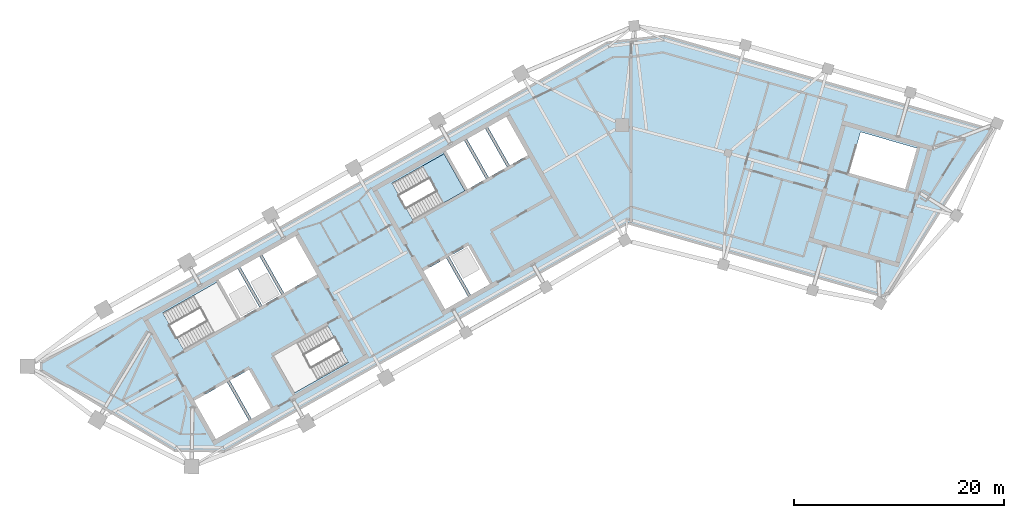
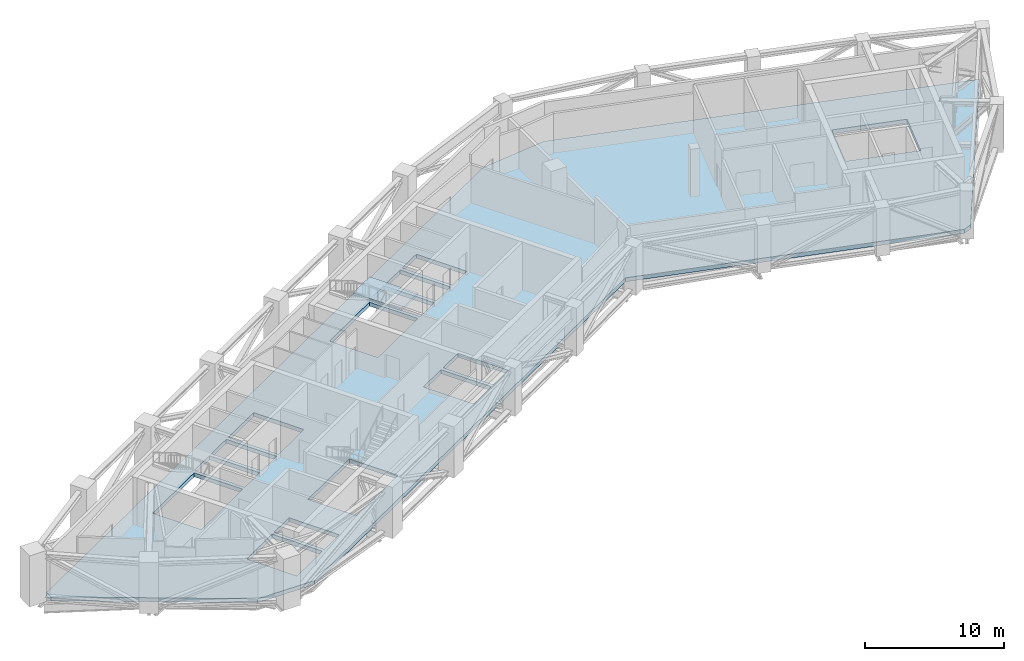
# One storey, part 6 of 13: 2 slabs, 1 element without a shape of its own.
"""IFC4 building model written with IfcOpenShell, lengths in metres."""

from ifc_helpers import new_model, si_unit, direction, frame, origin, place, context, subcontext, project, spatial, polyline, outline, extrude, material, layer, layer_set, type_object, element, aggregate, save


model = new_model("IFC4")

# Units and contexts
model_context = context("Model", 3, precision=1e-05, world=origin(), true_north=direction((0.0, 1.0)))
body_context = subcontext(model_context, "Body", "Model", "MODEL_VIEW")
ifc_project = project(units=[si_unit("LENGTHUNIT", "METRE"), si_unit("AREAUNIT", "SQUARE_METRE"), si_unit("VOLUMEUNIT", "CUBIC_METRE"), si_unit("PLANEANGLEUNIT", "RADIAN"), si_unit("MASSUNIT", "GRAM", prefix="KILO")], contexts=[model_context])

# Site, building, storey
site_placement = place(None, origin())
site = spatial("IfcSite", under=ifc_project, at=site_placement, CompositionType="ELEMENT")
building_placement = place(site_placement, origin())
building = spatial("IfcBuilding", under=site, at=building_placement, Name="Binnacle Exchange Tower", CompositionType="ELEMENT")
storey_placement = place(building_placement, frame((0.0, 0.0, 258.199951171875)))
storey = spatial("IfcBuildingStorey", under=building, at=storey_placement, Name="L57", CompositionType="ELEMENT", Elevation=258.199951171875)

# Slab
ifc_material = material(Name="Concrete C35/45", Category="concrete")
ifc_layer_1 = layer(ifc_material, 0.35009765625)
ifc_layer_set_1 = layer_set([ifc_layer_1], Name="Floor slab 350 Concrete C35/45")
slab_type_1 = type_object("IfcSlabType", Name="Floor slab 350 Concrete C35/45", PredefinedType="FLOOR", material=ifc_layer_set_1)
slab_1_placement = place(storey_placement, frame((0.0, 0.0, -0.349853515625)))
element("IfcSlab", 1, at=slab_1_placement, inside=storey, type_object=slab_type_1, Name="S:SL:L57:01", PredefinedType="FLOOR", context=body_context, shape_type="SweptSolid", body=[
    extrude(outline(polyline([(-56.197509765625, 36.683349609375), (-56.188720703125, 37.33740234375), (-2.2529296875, 67.85302734375), (3.15869140625, 68.493408203125), (34.27587890625, 59.57080078125), (24.55419921875, 44.0126953125), (23.879150390625, 43.75341796875), (-0.318603515625, 50.692138671875), (-38.74072265625, 28.953857421875), (-43.435791015625, 29.015380859375), (-56.197509765625, 36.683349609375)]), holes=[polyline([(-38.4794921875, 35.529296875), (-41.61279296875, 33.756591796875), (-39.544677734375, 30.10107421875), (-36.411376953125, 31.873779296875), (-38.4794921875, 35.529296875)]), polyline([(-34.322509765625, 33.0556640625), (-36.390625, 36.711181640625), (-38.21826171875, 35.677001953125), (-36.150146484375, 32.021484375), (-34.322509765625, 33.0556640625)]), polyline([(-34.040771484375, 38.04052734375), (-32.04638671875, 34.515625), (-26.9287109375, 37.4111328125), (-28.923095703125, 40.93603515625), (-34.040771484375, 38.04052734375)]), polyline([(-37.486572265625, 41.4912109375), (-39.480712890625, 45.01611328125), (-44.598388671875, 42.12060546875), (-42.604248046875, 38.595703125), (-37.486572265625, 41.4912109375)]), polyline([(-35.397705078125, 42.673095703125), (-37.4658203125, 46.32861328125), (-39.293701171875, 45.29443359375), (-37.225341796875, 41.638916015625), (-35.397705078125, 42.673095703125)]), polyline([(-33.308837890625, 43.854736328125), (-35.376953125, 47.51025390625), (-37.20458984375, 46.476318359375), (-35.136474609375, 42.82080078125), (-33.308837890625, 43.854736328125)]), polyline([(-29.914306640625, 45.775390625), (-31.982666015625, 49.430908203125), (-35.115966796875, 47.657958984375), (-33.047607421875, 44.00244140625), (-29.914306640625, 45.775390625)]), polyline([(-17.598876953125, 47.343017578125), (-19.77490234375, 46.11181640625), (-17.70654296875, 42.456298828125), (-15.53076171875, 43.6875), (-17.598876953125, 47.343017578125)]), polyline([(-13.44189453125, 44.869384765625), (-15.510009765625, 48.52490234375), (-17.337890625, 47.49072265625), (-15.26953125, 43.835205078125), (-13.44189453125, 44.869384765625)]), polyline([(-15.822509765625, 53.748046875), (-17.81689453125, 57.27294921875), (-22.760498046875, 54.47607421875), (-20.76611328125, 50.950927734375), (-15.822509765625, 53.748046875)]), polyline([(-13.82080078125, 54.880615234375), (-15.888916015625, 58.5361328125), (-17.629638671875, 57.55126953125), (-15.5615234375, 53.895751953125), (-13.82080078125, 54.880615234375)]), polyline([(26.111328125, 53.9169921875), (27.227783203125, 57.810302734375), (21.864013671875, 59.348388671875), (20.74755859375, 55.455078125), (26.111328125, 53.9169921875)]), polyline([(-11.819091796875, 56.01318359375), (-13.88720703125, 59.668701171875), (-15.6279296875, 58.683837890625), (-13.559814453125, 55.0283203125), (-11.819091796875, 56.01318359375)]), polyline([(-9.817138671875, 57.145751953125), (-11.885498046875, 60.80126953125), (-13.626220703125, 59.81640625), (-11.557861328125, 56.160888671875), (-9.817138671875, 57.145751953125)])]), origin(), (0.0, 0.0, 1.0), 0.349853515625),
])

# Stair, slab
stair_type = type_object("IfcStairType", Name="STAIR 26 RISERS 173", PredefinedType="HALF_TURN_STAIR", material=ifc_material)
stair_placement = place(storey_placement, origin())
stair = element("IfcStair", 2, at=stair_placement, inside=storey, type_object=stair_type, Name="L57 Escape stair C1", PredefinedType="HALF_TURN_STAIR")
ifc_layer_2 = layer(ifc_material, 0.199951171875)
ifc_layer_set_2 = layer_set([ifc_layer_2], Name="STAIR LANDING 200")
slab_type_2 = type_object("IfcSlabType", Name="STAIR LANDING 200", PredefinedType="LANDING", material=ifc_layer_set_2)
slab_2_placement = place(storey_placement, frame((0.0, 0.0, 2.050048828125)))
slab_2 = element("IfcSlab", 3, at=slab_2_placement, type_object=slab_type_2, Name="STC1 landing 1", PredefinedType="LANDING", context=body_context, shape_type="SweptSolid", body=[
    extrude(outline(polyline([(-17.876708984375, 52.5859375), (-15.822509765625, 53.748046875), (-17.81689453125, 57.27294921875), (-19.870849609375, 56.11083984375), (-17.876708984375, 52.5859375)])), origin(), (0.0, 0.0, 1.0), 0.199951171875),
])
aggregate(stair, [slab_2])

save(model, "model.ifc")
